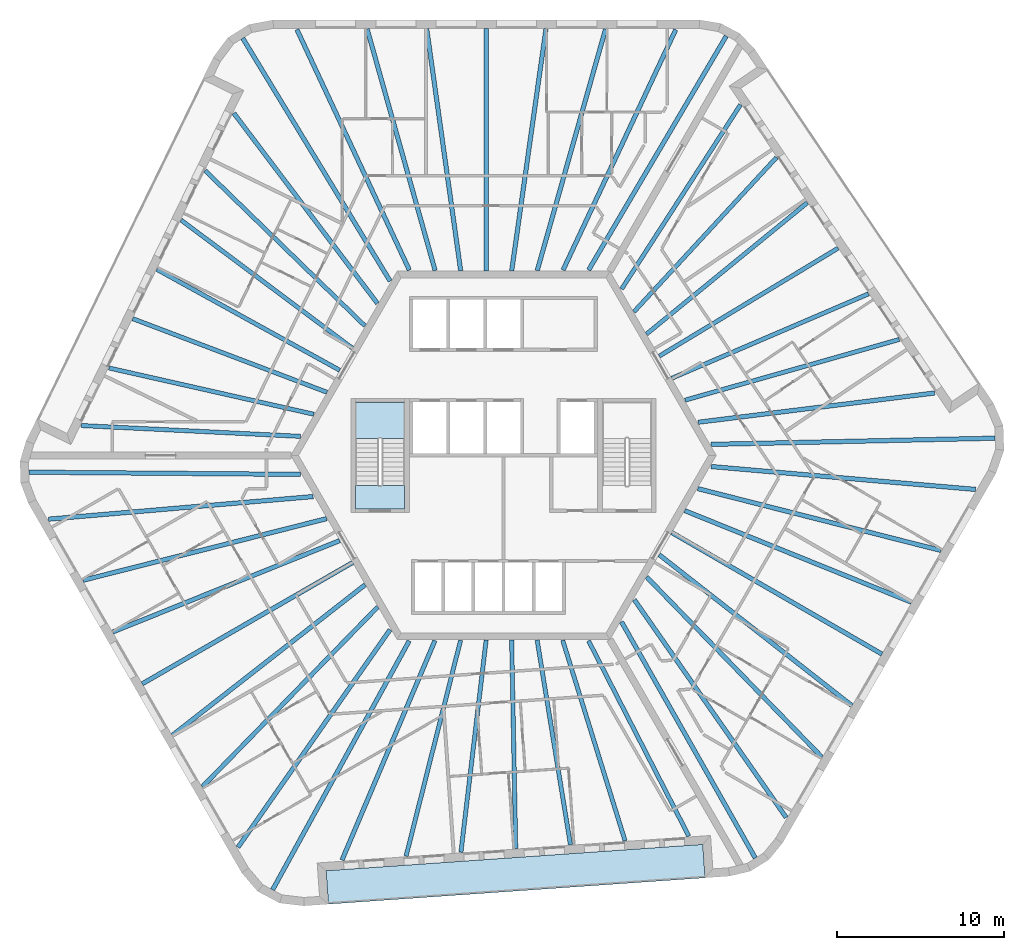
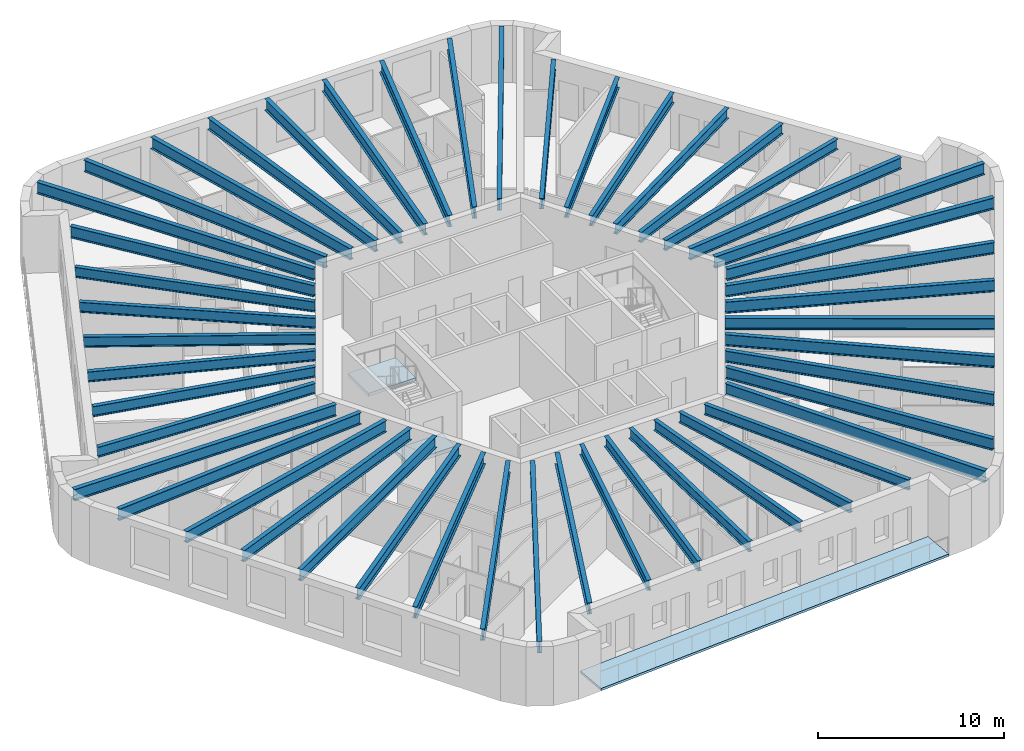
# One storey, part 1 of 12: 48 beams, 3 slabs, 1 element without a shape of its own.
"""IFC4 building model written with IfcOpenShell, lengths in metres."""

from ifc_helpers import new_model, si_unit, direction, frame, origin, origin_2d, place, context, subcontext, project, spatial, polyline, i_section, outline, extrude, material, layer, layer_set, material_profile, profile_set, type_object, element, aggregate, save


model = new_model("IFC4")

# Units and contexts
model_context = context("Model", 3, precision=1e-05, world=origin(), true_north=direction((0.0, 1.0)))
body_context = subcontext(model_context, "Body", "Model", "MODEL_VIEW")
ifc_project = project(units=[si_unit("LENGTHUNIT", "METRE"), si_unit("AREAUNIT", "SQUARE_METRE"), si_unit("VOLUMEUNIT", "CUBIC_METRE"), si_unit("PLANEANGLEUNIT", "RADIAN"), si_unit("MASSUNIT", "GRAM", prefix="KILO")], contexts=[model_context])

# Site, building, storey
site_placement = place(None, origin())
site = spatial("IfcSite", under=ifc_project, at=site_placement, CompositionType="ELEMENT")
building_placement = place(site_placement, origin())
building = spatial("IfcBuilding", under=site, at=building_placement, Name="Tarnside Tower", CompositionType="ELEMENT")
storey_placement = place(building_placement, frame((0.0, 0.0, 318.60009765625)))
storey = spatial("IfcBuildingStorey", under=building, at=storey_placement, Name="L77", CompositionType="ELEMENT", Elevation=318.60009765625)

# Beams
ifc_material_1 = material(Name="Steel S355", Category="steel")
ifc_material_profile_1 = material_profile(ifc_material_1, i_section(OverallWidth=0.2529296875, OverallDepth=0.677978515625, WebThickness=0.01171875, FlangeThickness=0.01611328125, FilletRadius=0.01513671875, at=origin_2d()), Name="UB 686x254x125")
ifc_profile_set_1 = profile_set([ifc_material_profile_1], Name="Steel S355")
beam_type_1 = type_object("IfcBeamType", Name="Floor beam UB 686x254x125", PredefinedType="BEAM", material=ifc_profile_set_1)
beam_1_placement = place(storey_placement, frame((-17.811279296875, 17.002197265625, 3.410888671875), z_axis=(0.717190986424, -0.696876666988, 0.0), x_axis=(0.696876666988, 0.717190986424, 0.0)))
element("IfcBeam", 1, at=beam_1_placement, inside=storey, type_object=beam_type_1, Name="Floor beam F2.02", PredefinedType="BEAM", context=body_context, shape_type="SweptSolid", body=[
    extrude(i_section(OverallWidth=0.2529296875, OverallDepth=0.677978515625, WebThickness=0.01171875, FlangeThickness=0.01611328125, FilletRadius=0.01513671875, at=origin_2d()), origin(), (0.0, 0.0, 1.0), 13.2919921875),
])
beam_2_placement = place(storey_placement, frame((-19.25, 14.0498046875, 3.410888671875), z_axis=(0.801006417676, -0.598655759883, 0.0), x_axis=(0.598655759883, 0.801006417676, 0.0)))
element("IfcBeam", 2, at=beam_2_placement, inside=storey, type_object=beam_type_1, Name="Floor beam F2.03", PredefinedType="BEAM", context=body_context, shape_type="SweptSolid", body=[
    extrude(i_section(OverallWidth=0.2529296875, OverallDepth=0.677978515625, WebThickness=0.01171875, FlangeThickness=0.01611328125, FilletRadius=0.01513671875, at=origin_2d()), origin(), (0.0, 0.0, 1.0), 12.764892578125),
])
beam_3_placement = place(storey_placement, frame((-20.70458984375, 11.111572265625, 3.410888671875), z_axis=(0.875666768762, -0.482915841619, 0.0), x_axis=(0.482915841619, 0.875666768762, 0.0)))
element("IfcBeam", 3, at=beam_3_placement, inside=storey, type_object=beam_type_1, Name="Floor beam F2.04", PredefinedType="BEAM", context=body_context, shape_type="SweptSolid", body=[
    extrude(i_section(OverallWidth=0.2529296875, OverallDepth=0.677978515625, WebThickness=0.01171875, FlangeThickness=0.01611328125, FilletRadius=0.01513671875, at=origin_2d()), origin(), (0.0, 0.0, 1.0), 12.468994140625),
])
beam_4_placement = place(storey_placement, frame((-22.141357421875, 8.165771484375, 3.410888671875), z_axis=(0.935116350489, -0.354340811998, 0.0), x_axis=(0.354340811998, 0.935116350489, 0.0)))
element("IfcBeam", 4, at=beam_4_placement, inside=storey, type_object=beam_type_1, Name="Floor beam F2.05", PredefinedType="BEAM", context=body_context, shape_type="SweptSolid", body=[
    extrude(i_section(OverallWidth=0.2529296875, OverallDepth=0.677978515625, WebThickness=0.01171875, FlangeThickness=0.01611328125, FilletRadius=0.01513671875, at=origin_2d()), origin(), (0.0, 0.0, 1.0), 12.399169921875),
])
beam_5_placement = place(storey_placement, frame((-23.556884765625, 5.2197265625, 3.410888671875), z_axis=(0.975445185376, -0.220242344534, 0.0), x_axis=(0.220242344534, 0.975445185376, 0.0)))
element("IfcBeam", 5, at=beam_5_placement, inside=storey, type_object=beam_type_1, Name="Floor beam F2.06", PredefinedType="BEAM", context=body_context, shape_type="SweptSolid", body=[
    extrude(i_section(OverallWidth=0.2529296875, OverallDepth=0.677978515625, WebThickness=0.01171875, FlangeThickness=0.01611328125, FilletRadius=0.01513671875, at=origin_2d()), origin(), (0.0, 0.0, 1.0), 12.538330078125),
])
beam_6_placement = place(storey_placement, frame((-25.214599609375, 1.7841796875, 3.410888671875), z_axis=(0.998783137237, -0.049317793651, 0.0), x_axis=(0.049317793651, 0.998783137237, 0.0)))
element("IfcBeam", 6, at=beam_6_placement, inside=storey, type_object=beam_type_1, Name="Floor beam F2.07", PredefinedType="BEAM", context=body_context, shape_type="SweptSolid", body=[
    extrude(i_section(OverallWidth=0.2529296875, OverallDepth=0.677978515625, WebThickness=0.01171875, FlangeThickness=0.01611328125, FilletRadius=0.01513671875, at=origin_2d()), origin(), (0.0, 0.0, 1.0), 13.103515625),
])
beam_7_placement = place(storey_placement, frame((-5.818603515625, -23.92626953125, 3.410888671875), z_axis=(0.244907502604, 0.969546448175, 0.0), x_axis=(-0.969546448175, 0.244907502604, 0.0)))
element("IfcBeam", 7, at=beam_7_placement, inside=storey, type_object=beam_type_1, Name="Floor beam F4.02", PredefinedType="BEAM", context=body_context, shape_type="SweptSolid", body=[
    extrude(i_section(OverallWidth=0.2529296875, OverallDepth=0.677978515625, WebThickness=0.01171875, FlangeThickness=0.01611328125, FilletRadius=0.01513671875, at=origin_2d()), origin(), (0.0, 0.0, 1.0), 13.292236328125),
])
beam_8_placement = place(storey_placement, frame((-2.54248046875, -23.69580078125, 3.410888671875), z_axis=(0.117949762105, 0.993019563563, 0.0), x_axis=(-0.993019563563, 0.117949762105, 0.0)))
element("IfcBeam", 8, at=beam_8_placement, inside=storey, type_object=beam_type_1, Name="Floor beam F4.03", PredefinedType="BEAM", context=body_context, shape_type="SweptSolid", body=[
    extrude(i_section(OverallWidth=0.2529296875, OverallDepth=0.677978515625, WebThickness=0.01171875, FlangeThickness=0.01611328125, FilletRadius=0.01513671875, at=origin_2d()), origin(), (0.0, 0.0, 1.0), 12.764892578125),
])
beam_9_placement = place(storey_placement, frame((0.7294921875, -23.486328125, 3.410888671875), z_axis=(-0.019619426101, 0.999807520536, 0.0), x_axis=(-0.999807520536, -0.019619426101, 0.0)))
element("IfcBeam", 9, at=beam_9_placement, inside=storey, type_object=beam_type_1, Name="Floor beam F4.04", PredefinedType="BEAM", context=body_context, shape_type="SweptSolid", body=[
    extrude(i_section(OverallWidth=0.2529296875, OverallDepth=0.677978515625, WebThickness=0.01171875, FlangeThickness=0.01611328125, FilletRadius=0.01513671875, at=origin_2d()), origin(), (0.0, 0.0, 1.0), 12.46875),
])
beam_10_placement = place(storey_placement, frame((3.9990234375, -23.2578125, 3.410888671875), z_axis=(-0.160690769029, 0.987004800773, 0.0), x_axis=(-0.987004800773, -0.160690769029, 0.0)))
element("IfcBeam", 10, at=beam_10_placement, inside=storey, type_object=beam_type_1, Name="Floor beam F4.05", PredefinedType="BEAM", context=body_context, shape_type="SweptSolid", body=[
    extrude(i_section(OverallWidth=0.2529296875, OverallDepth=0.677978515625, WebThickness=0.01171875, FlangeThickness=0.01611328125, FilletRadius=0.01513671875, at=origin_2d()), origin(), (0.0, 0.0, 1.0), 12.399169921875),
])
beam_11_placement = place(storey_placement, frame((7.258056640625, -23.0107421875, 3.410888671875), z_axis=(-0.296997512057, 0.954878252885, 0.0), x_axis=(-0.954878252885, -0.296997512057, 0.0)))
element("IfcBeam", 11, at=beam_11_placement, inside=storey, type_object=beam_type_1, Name="Floor beam F4.06", PredefinedType="BEAM", context=body_context, shape_type="SweptSolid", body=[
    extrude(i_section(OverallWidth=0.2529296875, OverallDepth=0.677978515625, WebThickness=0.01171875, FlangeThickness=0.01611328125, FilletRadius=0.01513671875, at=origin_2d()), origin(), (0.0, 0.0, 1.0), 12.538330078125),
])
beam_12_placement = place(storey_placement, frame((11.06201171875, -22.728515625, 3.410888671875), z_axis=(-0.456683143477, 0.889629420862, 0.0), x_axis=(-0.889629420862, -0.456683143477, 0.0)))
element("IfcBeam", 12, at=beam_12_placement, inside=storey, type_object=beam_type_1, Name="Floor beam F4.07", PredefinedType="BEAM", context=body_context, shape_type="SweptSolid", body=[
    extrude(i_section(OverallWidth=0.2529296875, OverallDepth=0.677978515625, WebThickness=0.01171875, FlangeThickness=0.01611328125, FilletRadius=0.01513671875, at=origin_2d()), origin(), (0.0, 0.0, 1.0), 13.103515625),
])
beam_13_placement = place(storey_placement, frame((23.6298828125, 6.924072265625, 3.410888671875), z_axis=(-0.962104001021, -0.272682766636, 0.0), x_axis=(0.272682766636, -0.962104001021, 0.0)))
element("IfcBeam", 13, at=beam_13_placement, inside=storey, type_object=beam_type_1, Name="Floor beam F6.02", PredefinedType="BEAM", context=body_context, shape_type="SweptSolid", body=[
    extrude(i_section(OverallWidth=0.2529296875, OverallDepth=0.677978515625, WebThickness=0.01171875, FlangeThickness=0.01611328125, FilletRadius=0.01513671875, at=origin_2d()), origin(), (0.0, 0.0, 1.0), 13.2919921875),
])
beam_14_placement = place(storey_placement, frame((21.792236328125, 9.64599609375, 3.410888671875), z_axis=(-0.918954980534, -0.394362452258, 0.0), x_axis=(0.394362452258, -0.918954980534, 0.0)))
element("IfcBeam", 14, at=beam_14_placement, inside=storey, type_object=beam_type_1, Name="Floor beam F6.03", PredefinedType="BEAM", context=body_context, shape_type="SweptSolid", body=[
    extrude(i_section(OverallWidth=0.2529296875, OverallDepth=0.677978515625, WebThickness=0.01171875, FlangeThickness=0.01611328125, FilletRadius=0.01513671875, at=origin_2d()), origin(), (0.0, 0.0, 1.0), 12.7646484375),
])
beam_15_placement = place(storey_placement, frame((19.97509765625, 12.375, 3.410888671875), z_axis=(-0.856046953876, -0.516898068055, 0.0), x_axis=(0.516898068055, -0.856046953876, 0.0)))
element("IfcBeam", 15, at=beam_15_placement, inside=storey, type_object=beam_type_1, Name="Floor beam F6.04", PredefinedType="BEAM", context=body_context, shape_type="SweptSolid", body=[
    extrude(i_section(OverallWidth=0.2529296875, OverallDepth=0.677978515625, WebThickness=0.01171875, FlangeThickness=0.01611328125, FilletRadius=0.01513671875, at=origin_2d()), origin(), (0.0, 0.0, 1.0), 12.46875),
])
beam_16_placement = place(storey_placement, frame((18.142333984375, 15.092041015625, 3.410888671875), z_axis=(-0.774438707576, -0.632648945473, 0.0), x_axis=(0.632648945473, -0.774438707576, 0.0)))
element("IfcBeam", 16, at=beam_16_placement, inside=storey, type_object=beam_type_1, Name="Floor beam F6.05", PredefinedType="BEAM", context=body_context, shape_type="SweptSolid", body=[
    extrude(i_section(OverallWidth=0.2529296875, OverallDepth=0.677978515625, WebThickness=0.01171875, FlangeThickness=0.01611328125, FilletRadius=0.01513671875, at=origin_2d()), origin(), (0.0, 0.0, 1.0), 12.39892578125),
])
beam_17_placement = place(storey_placement, frame((16.299072265625, 17.791015625, 3.410888671875), z_axis=(-0.67846123451, -0.734636204708, 0.0), x_axis=(0.734636204708, -0.67846123451, 0.0)))
element("IfcBeam", 17, at=beam_17_placement, inside=storey, type_object=beam_type_1, Name="Floor beam F6.06", PredefinedType="BEAM", context=body_context, shape_type="SweptSolid", body=[
    extrude(i_section(OverallWidth=0.2529296875, OverallDepth=0.677978515625, WebThickness=0.01171875, FlangeThickness=0.01611328125, FilletRadius=0.01513671875, at=origin_2d()), origin(), (0.0, 0.0, 1.0), 12.538330078125),
])
beam_18_placement = place(storey_placement, frame((14.152587890625, 20.9443359375, 3.410888671875), z_axis=(-0.54209970956, -0.840314170352, 0.0), x_axis=(0.840314170352, -0.54209970956, 0.0)))
element("IfcBeam", 18, at=beam_18_placement, inside=storey, type_object=beam_type_1, Name="Floor beam F6.07", PredefinedType="BEAM", context=body_context, shape_type="SweptSolid", body=[
    extrude(i_section(OverallWidth=0.2529296875, OverallDepth=0.677978515625, WebThickness=0.01171875, FlangeThickness=0.01611328125, FilletRadius=0.01513671875, at=origin_2d()), origin(), (0.0, 0.0, 1.0), 13.103759765625),
])
ifc_material_profile_2 = material_profile(ifc_material_1, i_section(OverallWidth=0.26513671875, OverallDepth=0.75390625, WebThickness=0.0126953125, FlangeThickness=0.017578125, FilletRadius=0.0166015625, at=origin_2d()), Name="UB 762x267x147")
ifc_profile_set_2 = profile_set([ifc_material_profile_2], Name="Steel S355")
beam_type_2 = type_object("IfcBeamType", Name="Floor beam UB 762x267x147", PredefinedType="BEAM", material=ifc_profile_set_2)
beam_19_placement = place(storey_placement, frame((6.093505859375, 25.46142578125, 3.372802734375), z_axis=(-0.272147186115, -0.962255636039, 0.0), x_axis=(0.962255636039, -0.272147186115, 0.0)))
element("IfcBeam", 19, at=beam_19_placement, inside=storey, type_object=beam_type_2, Name="Floor beam F1.02", PredefinedType="BEAM", context=body_context, shape_type="SweptSolid", body=[
    extrude(i_section(OverallWidth=0.26513671875, OverallDepth=0.75390625, WebThickness=0.0126953125, FlangeThickness=0.017578125, FilletRadius=0.0166015625, at=origin_2d()), origin(), (0.0, 0.0, 1.0), 14.988525390625),
])
beam_20_placement = place(storey_placement, frame((2.537109375, 25.480224609375, 3.372802734375), z_axis=(-0.140349428967, -0.990102034029, 0.0), x_axis=(0.990102034029, -0.140349428967, 0.0)))
element("IfcBeam", 20, at=beam_20_placement, inside=storey, type_object=beam_type_2, Name="Floor beam F1.03", PredefinedType="BEAM", context=body_context, shape_type="SweptSolid", body=[
    extrude(i_section(OverallWidth=0.26513671875, OverallDepth=0.75390625, WebThickness=0.0126953125, FlangeThickness=0.017578125, FilletRadius=0.0166015625, at=origin_2d()), origin(), (0.0, 0.0, 1.0), 14.60498046875),
])
beam_21_placement = place(storey_placement, frame((-1.02490234375, 25.5, 3.372802734375), z_axis=(-0.000656653953, -0.999999784403, 0.0), x_axis=(0.999999784403, -0.000656653953, 0.0)))
element("IfcBeam", 21, at=beam_21_placement, inside=storey, type_object=beam_type_2, Name="Floor beam F1.04", PredefinedType="BEAM", context=body_context, shape_type="SweptSolid", body=[
    extrude(i_section(OverallWidth=0.26513671875, OverallDepth=0.75390625, WebThickness=0.0126953125, FlangeThickness=0.017578125, FilletRadius=0.0166015625, at=origin_2d()), origin(), (0.0, 0.0, 1.0), 14.5),
])
beam_22_placement = place(storey_placement, frame((-4.5869140625, 25.480224609375, 3.372802734375), z_axis=(0.139070897001, -0.990282427193, 0.0), x_axis=(0.990282427193, 0.139070897001, 0.0)))
element("IfcBeam", 22, at=beam_22_placement, inside=storey, type_object=beam_type_2, Name="Floor beam F1.05", PredefinedType="BEAM", context=body_context, shape_type="SweptSolid", body=[
    extrude(i_section(OverallWidth=0.26513671875, OverallDepth=0.75390625, WebThickness=0.0126953125, FlangeThickness=0.017578125, FilletRadius=0.0166015625, at=origin_2d()), origin(), (0.0, 0.0, 1.0), 14.602294921875),
])
beam_23_placement = place(storey_placement, frame((-8.1435546875, 25.46142578125, 3.372802734375), z_axis=(0.270985274434, -0.962583493023, 0.0), x_axis=(0.962583493023, 0.270985274434, 0.0)))
element("IfcBeam", 23, at=beam_23_placement, inside=storey, type_object=beam_type_2, Name="Floor beam F1.06", PredefinedType="BEAM", context=body_context, shape_type="SweptSolid", body=[
    extrude(i_section(OverallWidth=0.26513671875, OverallDepth=0.75390625, WebThickness=0.0126953125, FlangeThickness=0.017578125, FilletRadius=0.0166015625, at=origin_2d()), origin(), (0.0, 0.0, 1.0), 14.9833984375),
])
beam_24_placement = place(storey_placement, frame((-16.101318359375, 20.43212890625, 3.372802734375), z_axis=(0.602566097863, -0.798068980543, 0.0), x_axis=(0.798068980543, 0.602566097863, 0.0)))
element("IfcBeam", 24, at=beam_24_placement, inside=storey, type_object=beam_type_2, Name="Floor beam F2.01", PredefinedType="BEAM", context=body_context, shape_type="SweptSolid", body=[
    extrude(i_section(OverallWidth=0.26513671875, OverallDepth=0.75390625, WebThickness=0.0126953125, FlangeThickness=0.017578125, FilletRadius=0.0166015625, at=origin_2d()), origin(), (0.0, 0.0, 1.0), 14.231201171875),
])
beam_25_placement = place(storey_placement, frame((-25.09716796875, -7.45361328125, 3.372802734375), z_axis=(0.969413823687, 0.245431942592, 0.0), x_axis=(-0.245431942592, 0.969413823687, 0.0)))
element("IfcBeam", 25, at=beam_25_placement, inside=storey, type_object=beam_type_2, Name="Floor beam F3.02", PredefinedType="BEAM", context=body_context, shape_type="SweptSolid", body=[
    extrude(i_section(OverallWidth=0.26513671875, OverallDepth=0.75390625, WebThickness=0.0126953125, FlangeThickness=0.017578125, FilletRadius=0.0166015625, at=origin_2d()), origin(), (0.0, 0.0, 1.0), 14.98876953125),
])
beam_26_placement = place(storey_placement, frame((-23.3349609375, -10.54296875, 3.372802734375), z_axis=(0.927625766949, 0.373510958998, 0.0), x_axis=(-0.373510958998, 0.927625766949, 0.0)))
element("IfcBeam", 26, at=beam_26_placement, inside=storey, type_object=beam_type_2, Name="Floor beam F3.03", PredefinedType="BEAM", context=body_context, shape_type="SweptSolid", body=[
    extrude(i_section(OverallWidth=0.26513671875, OverallDepth=0.75390625, WebThickness=0.0126953125, FlangeThickness=0.017578125, FilletRadius=0.0166015625, at=origin_2d()), origin(), (0.0, 0.0, 1.0), 14.60498046875),
])
beam_27_placement = place(storey_placement, frame((-21.5712890625, -13.6376953125, 3.372802734375), z_axis=(0.866357363831, 0.499424587036, 0.0), x_axis=(-0.499424587036, 0.866357363831, 0.0)))
element("IfcBeam", 27, at=beam_27_placement, inside=storey, type_object=beam_type_2, Name="Floor beam F3.04", PredefinedType="BEAM", context=body_context, shape_type="SweptSolid", body=[
    extrude(i_section(OverallWidth=0.26513671875, OverallDepth=0.75390625, WebThickness=0.0126953125, FlangeThickness=0.017578125, FilletRadius=0.0166015625, at=origin_2d()), origin(), (0.0, 0.0, 1.0), 14.5),
])
beam_28_placement = place(storey_placement, frame((-19.77294921875, -16.71240234375, 3.372802734375), z_axis=(0.788074813552, 0.615579473541, 0.0), x_axis=(-0.615579473541, 0.788074813552, 0.0)))
element("IfcBeam", 28, at=beam_28_placement, inside=storey, type_object=beam_type_2, Name="Floor beam F3.05", PredefinedType="BEAM", context=body_context, shape_type="SweptSolid", body=[
    extrude(i_section(OverallWidth=0.26513671875, OverallDepth=0.75390625, WebThickness=0.0126953125, FlangeThickness=0.017578125, FilletRadius=0.0166015625, at=origin_2d()), origin(), (0.0, 0.0, 1.0), 14.60205078125),
])
beam_29_placement = place(storey_placement, frame((-17.978515625, -19.783203125, 3.372802734375), z_axis=(0.698129580508, 0.71597143017, 0.0), x_axis=(-0.71597143017, 0.698129580508, 0.0)))
element("IfcBeam", 29, at=beam_29_placement, inside=storey, type_object=beam_type_2, Name="Floor beam F3.06", PredefinedType="BEAM", context=body_context, shape_type="SweptSolid", body=[
    extrude(i_section(OverallWidth=0.26513671875, OverallDepth=0.75390625, WebThickness=0.0126953125, FlangeThickness=0.017578125, FilletRadius=0.0166015625, at=origin_2d()), origin(), (0.0, 0.0, 1.0), 14.983642578125),
])
beam_30_placement = place(storey_placement, frame((-9.64404296875, -24.160400390625, 3.372802734375), z_axis=(0.389873911801, 0.920868249478, 0.0), x_axis=(-0.920868249478, 0.389873911801, 0.0)))
element("IfcBeam", 30, at=beam_30_placement, inside=storey, type_object=beam_type_2, Name="Floor beam F4.01", PredefinedType="BEAM", context=body_context, shape_type="SweptSolid", body=[
    extrude(i_section(OverallWidth=0.26513671875, OverallDepth=0.75390625, WebThickness=0.0126953125, FlangeThickness=0.017578125, FilletRadius=0.0166015625, at=origin_2d()), origin(), (0.0, 0.0, 1.0), 14.231201171875),
])
beam_31_placement = place(storey_placement, frame((19.00341796875, -18.008056640625, 3.372802734375), z_axis=(-0.697249797022, 0.716828236437, 0.0), x_axis=(-0.716828236437, -0.697249797022, 0.0)))
element("IfcBeam", 31, at=beam_31_placement, inside=storey, type_object=beam_type_2, Name="Floor beam F5.02", PredefinedType="BEAM", context=body_context, shape_type="SweptSolid", body=[
    extrude(i_section(OverallWidth=0.26513671875, OverallDepth=0.75390625, WebThickness=0.0126953125, FlangeThickness=0.017578125, FilletRadius=0.0166015625, at=origin_2d()), origin(), (0.0, 0.0, 1.0), 14.98876953125),
])
beam_32_placement = place(storey_placement, frame((20.798095703125, -14.937255859375, 3.372802734375), z_axis=(-0.787282014804, 0.616593082321, 0.0), x_axis=(-0.616593082321, -0.787282014804, 0.0)))
element("IfcBeam", 32, at=beam_32_placement, inside=storey, type_object=beam_type_2, Name="Floor beam F5.03", PredefinedType="BEAM", context=body_context, shape_type="SweptSolid", body=[
    extrude(i_section(OverallWidth=0.26513671875, OverallDepth=0.75390625, WebThickness=0.0126953125, FlangeThickness=0.017578125, FilletRadius=0.0166015625, at=origin_2d()), origin(), (0.0, 0.0, 1.0), 14.60498046875),
])
beam_33_placement = place(storey_placement, frame((22.59619140625, -11.8623046875, 3.372802734375), z_axis=(-0.865697438889, 0.500567622106, 0.0), x_axis=(-0.500567622106, -0.865697438889, 0.0)))
element("IfcBeam", 33, at=beam_33_placement, inside=storey, type_object=beam_type_2, Name="Floor beam F5.04", PredefinedType="BEAM", context=body_context, shape_type="SweptSolid", body=[
    extrude(i_section(OverallWidth=0.26513671875, OverallDepth=0.75390625, WebThickness=0.0126953125, FlangeThickness=0.017578125, FilletRadius=0.0166015625, at=origin_2d()), origin(), (0.0, 0.0, 1.0), 14.500244140625),
])
beam_34_placement = place(storey_placement, frame((24.35986328125, -8.767578125, 3.372802734375), z_axis=(-0.927145907531, 0.374700501933, 0.0), x_axis=(-0.374700501933, -0.927145907531, 0.0)))
element("IfcBeam", 34, at=beam_34_placement, inside=storey, type_object=beam_type_2, Name="Floor beam F5.05", PredefinedType="BEAM", context=body_context, shape_type="SweptSolid", body=[
    extrude(i_section(OverallWidth=0.26513671875, OverallDepth=0.75390625, WebThickness=0.0126953125, FlangeThickness=0.017578125, FilletRadius=0.0166015625, at=origin_2d()), origin(), (0.0, 0.0, 1.0), 14.60205078125),
])
beam_35_placement = place(storey_placement, frame((26.1220703125, -5.67822265625, 3.372802734375), z_axis=(-0.969115089144, 0.246608888716, 0.0), x_axis=(-0.246608888716, -0.969115089144, 0.0)))
element("IfcBeam", 35, at=beam_35_placement, inside=storey, type_object=beam_type_2, Name="Floor beam F5.06", PredefinedType="BEAM", context=body_context, shape_type="SweptSolid", body=[
    extrude(i_section(OverallWidth=0.26513671875, OverallDepth=0.75390625, WebThickness=0.0126953125, FlangeThickness=0.017578125, FilletRadius=0.0166015625, at=origin_2d()), origin(), (0.0, 0.0, 1.0), 14.9833984375),
])
beam_36_placement = place(storey_placement, frame((25.745361328125, 3.72802734375, 3.372802734375), z_axis=(-0.992433598491, -0.122782541866, 0.0), x_axis=(0.122782541866, -0.992433598491, 0.0)))
element("IfcBeam", 36, at=beam_36_placement, inside=storey, type_object=beam_type_2, Name="Floor beam F6.01", PredefinedType="BEAM", context=body_context, shape_type="SweptSolid", body=[
    extrude(i_section(OverallWidth=0.26513671875, OverallDepth=0.75390625, WebThickness=0.0126953125, FlangeThickness=0.017578125, FilletRadius=0.0166015625, at=origin_2d()), origin(), (0.0, 0.0, 1.0), 14.23095703125),
])
ifc_material_profile_3 = material_profile(ifc_material_1, i_section(OverallWidth=0.2666015625, OverallDepth=0.76220703125, WebThickness=0.014404296875, FlangeThickness=0.021484375, FilletRadius=0.0166015625, at=origin_2d()), Name="UB 762x267x173")
ifc_profile_set_3 = profile_set([ifc_material_profile_3], Name="Steel S355")
beam_type_3 = type_object("IfcBeamType", Name="Floor beam UB 762x267x173", PredefinedType="BEAM", material=ifc_profile_set_3)
beam_37_placement = place(storey_placement, frame((10.285400390625, 25.427490234375, 3.368896484375), z_axis=(-0.424439399801, -0.905456346765, 0.0), x_axis=(0.905456346765, -0.424439399801, 0.0)))
element("IfcBeam", 37, at=beam_37_placement, inside=storey, type_object=beam_type_3, Name="Floor beam F1.01", PredefinedType="BEAM", context=body_context, shape_type="SweptSolid", body=[
    extrude(i_section(OverallWidth=0.2666015625, OverallDepth=0.76220703125, WebThickness=0.014404296875, FlangeThickness=0.021484375, FilletRadius=0.0166015625, at=origin_2d()), origin(), (0.0, 0.0, 1.0), 15.853759765625),
])
beam_38_placement = place(storey_placement, frame((-12.335205078125, 25.427490234375, 3.368896484375), z_axis=(0.423453877267, -0.905917663934, 0.0), x_axis=(0.905917663934, 0.423453877267, 0.0)))
element("IfcBeam", 38, at=beam_38_placement, inside=storey, type_object=beam_type_3, Name="Floor beam F1.07", PredefinedType="BEAM", context=body_context, shape_type="SweptSolid", body=[
    extrude(i_section(OverallWidth=0.2666015625, OverallDepth=0.76220703125, WebThickness=0.014404296875, FlangeThickness=0.021484375, FilletRadius=0.0166015625, at=origin_2d()), origin(), (0.0, 0.0, 1.0), 15.845703125),
])
beam_39_placement = place(storey_placement, frame((-15.5703125, 24.91162109375, 3.368896484375), z_axis=(0.518716683755, -0.854946198304, 0.0), x_axis=(0.854946198304, 0.518716683755, 0.0)))
element("IfcBeam", 39, at=beam_39_placement, inside=storey, type_object=beam_type_3, Name="Floor beam C1", PredefinedType="BEAM", context=body_context, shape_type="SweptSolid", body=[
    extrude(i_section(OverallWidth=0.2666015625, OverallDepth=0.76220703125, WebThickness=0.014404296875, FlangeThickness=0.021484375, FilletRadius=0.0166015625, at=origin_2d()), origin(), (0.0, 0.0, 1.0), 16.961181640625),
])
beam_40_placement = place(storey_placement, frame((-28.3291015625, -1.0009765625, 3.368896484375), z_axis=(0.999966651082, -0.008166806173, 0.0), x_axis=(0.008166806173, 0.999966651082, 0.0)))
element("IfcBeam", 40, at=beam_40_placement, inside=storey, type_object=beam_type_3, Name="Floor beam C2", PredefinedType="BEAM", context=body_context, shape_type="SweptSolid", body=[
    extrude(i_section(OverallWidth=0.2666015625, OverallDepth=0.76220703125, WebThickness=0.014404296875, FlangeThickness=0.021484375, FilletRadius=0.0166015625, at=origin_2d()), origin(), (0.0, 0.0, 1.0), 16.20263671875),
])
beam_41_placement = place(storey_placement, frame((-27.16357421875, -3.806396484375, 3.368896484375), z_axis=(0.996367434748, 0.085158293626, 0.0), x_axis=(-0.085158293626, 0.996367434748, 0.0)))
element("IfcBeam", 41, at=beam_41_placement, inside=storey, type_object=beam_type_3, Name="Floor beam F3.01", PredefinedType="BEAM", context=body_context, shape_type="SweptSolid", body=[
    extrude(i_section(OverallWidth=0.2666015625, OverallDepth=0.76220703125, WebThickness=0.014404296875, FlangeThickness=0.021484375, FilletRadius=0.0166015625, at=origin_2d()), origin(), (0.0, 0.0, 1.0), 15.85400390625),
])
beam_42_placement = place(storey_placement, frame((-15.853271484375, -23.396484375, 3.368896484375), z_axis=(0.572816933654, 0.819683329414, 0.0), x_axis=(-0.819683329414, 0.572816933654, 0.0)))
element("IfcBeam", 42, at=beam_42_placement, inside=storey, type_object=beam_type_3, Name="Floor beam F3.07", PredefinedType="BEAM", context=body_context, shape_type="SweptSolid", body=[
    extrude(i_section(OverallWidth=0.2666015625, OverallDepth=0.76220703125, WebThickness=0.014404296875, FlangeThickness=0.021484375, FilletRadius=0.0166015625, at=origin_2d()), origin(), (0.0, 0.0, 1.0), 15.84619140625),
])
beam_43_placement = place(storey_placement, frame((-13.788818359375, -25.93994140625, 3.368896484375), z_axis=(0.481036073107, 0.876700802081, 0.0), x_axis=(-0.876700802081, 0.481036073107, 0.0)))
element("IfcBeam", 43, at=beam_43_placement, inside=storey, type_object=beam_type_3, Name="Floor beam C3", PredefinedType="BEAM", context=body_context, shape_type="SweptSolid", body=[
    extrude(i_section(OverallWidth=0.2666015625, OverallDepth=0.76220703125, WebThickness=0.014404296875, FlangeThickness=0.021484375, FilletRadius=0.0166015625, at=origin_2d()), origin(), (0.0, 0.0, 1.0), 16.961181640625),
])
beam_44_placement = place(storey_placement, frame((15.031494140625, -24.033447265625, 3.368896484375), z_axis=(-0.49290801997, 0.870081423689, 0.0), x_axis=(-0.870081423689, -0.49290801997, 0.0)))
element("IfcBeam", 44, at=beam_44_placement, inside=storey, type_object=beam_type_3, Name="Floor beam C4", PredefinedType="BEAM", context=body_context, shape_type="SweptSolid", body=[
    extrude(i_section(OverallWidth=0.2666015625, OverallDepth=0.76220703125, WebThickness=0.014404296875, FlangeThickness=0.021484375, FilletRadius=0.0166015625, at=origin_2d()), origin(), (0.0, 0.0, 1.0), 16.202880859375),
])
beam_45_placement = place(storey_placement, frame((16.87841796875, -21.62109375, 3.368896484375), z_axis=(-0.571946235641, 0.82029110902, 0.0), x_axis=(-0.82029110902, -0.571946235641, 0.0)))
element("IfcBeam", 45, at=beam_45_placement, inside=storey, type_object=beam_type_3, Name="Floor beam F5.01", PredefinedType="BEAM", context=body_context, shape_type="SweptSolid", body=[
    extrude(i_section(OverallWidth=0.2666015625, OverallDepth=0.76220703125, WebThickness=0.014404296875, FlangeThickness=0.021484375, FilletRadius=0.0166015625, at=origin_2d()), origin(), (0.0, 0.0, 1.0), 15.85400390625),
])
beam_46_placement = place(storey_placement, frame((28.1884765625, -2.03125, 3.368896484375), z_axis=(-0.996273584651, 0.086249316098, 0.0), x_axis=(-0.086249316098, -0.996273584651, 0.0)))
element("IfcBeam", 46, at=beam_46_placement, inside=storey, type_object=beam_type_3, Name="Floor beam F5.07", PredefinedType="BEAM", context=body_context, shape_type="SweptSolid", body=[
    extrude(i_section(OverallWidth=0.2666015625, OverallDepth=0.76220703125, WebThickness=0.014404296875, FlangeThickness=0.021484375, FilletRadius=0.0166015625, at=origin_2d()), origin(), (0.0, 0.0, 1.0), 15.845947265625),
])
beam_47_placement = place(storey_placement, frame((29.359130859375, 1.028564453125, 3.368896484375), z_axis=(-0.999763142455, -0.02176370807, 0.0), x_axis=(0.02176370807, -0.999763142455, 0.0)))
element("IfcBeam", 47, at=beam_47_placement, inside=storey, type_object=beam_type_3, Name="Floor beam C5", PredefinedType="BEAM", context=body_context, shape_type="SweptSolid", body=[
    extrude(i_section(OverallWidth=0.2666015625, OverallDepth=0.76220703125, WebThickness=0.014404296875, FlangeThickness=0.021484375, FilletRadius=0.0166015625, at=origin_2d()), origin(), (0.0, 0.0, 1.0), 16.961181640625),
])
beam_48_placement = place(storey_placement, frame((13.2978515625, 25.0341796875, 3.368896484375), z_axis=(-0.507080048325, -0.861898964259, 0.0), x_axis=(0.861898964259, -0.507080048325, 0.0)))
element("IfcBeam", 48, at=beam_48_placement, inside=storey, type_object=beam_type_3, Name="Floor beam C6", PredefinedType="BEAM", context=body_context, shape_type="SweptSolid", body=[
    extrude(i_section(OverallWidth=0.2666015625, OverallDepth=0.76220703125, WebThickness=0.014404296875, FlangeThickness=0.021484375, FilletRadius=0.0166015625, at=origin_2d()), origin(), (0.0, 0.0, 1.0), 16.20263671875),
])

# Slabs
ifc_material_2 = material(Name="Concrete C40/50", Category="concrete")
ifc_layer_1 = layer(ifc_material_2, 0.25)
ifc_layer_set_1 = layer_set([ifc_layer_1], Name="Core slab C40/50")
slab_type_1 = type_object("IfcSlabType", Name="Core slab C40/50", PredefinedType="FLOOR", material=ifc_layer_set_1)
slab_1_placement = place(storey_placement, frame((0.0, 0.0, -0.25)))
element("IfcSlab", 49, at=slab_1_placement, inside=storey, type_object=slab_type_1, Name="L77 core floor slab 2", PredefinedType="FLOOR", context=body_context, shape_type="SweptSolid", body=[
    extrude(outline(polyline([(-8.85009765625, -3.199951171875), (-8.85009765625, -1.800048828125), (-5.89990234375, -1.800048828125), (-5.89990234375, -3.199951171875), (-8.85009765625, -3.199951171875)])), origin(), (0.0, 0.0, 1.0), 0.25),
])
ifc_material_3 = material(Name="Timber decking", Category="wood")
ifc_layer_2 = layer(ifc_material_3, 0.0400390625)
ifc_material_4 = material(Name="Concrete C60/75 precast", Category="concrete")
ifc_layer_3 = layer(ifc_material_4, 0.110107421875)
ifc_layer_set_2 = layer_set([ifc_layer_2, ifc_layer_3], Name="Loggia deck 150")
slab_type_2 = type_object("IfcSlabType", Name="Loggia deck 150", PredefinedType="FLOOR", material=ifc_layer_set_2)
slab_2_placement = place(storey_placement, frame((0.0, 0.0, -0.150146484375)))
element("IfcSlab", 50, at=slab_2_placement, inside=storey, type_object=slab_type_2, Name="Loggia deck L77 F4", PredefinedType="FLOOR", context=body_context, shape_type="SweptSolid", body=[
    extrude(outline(polyline([(-10.593017578125, -24.79931640625), (11.896728515625, -23.226806640625), (12.036376953125, -25.221923828125), (-10.45361328125, -26.79443359375), (-10.593017578125, -24.79931640625)])), origin(), (0.0, 0.0, 1.0), 0.150146484375),
])

# Stair, slab
stair_type = type_object("IfcStairType", Name="Exit stair 1400 clear", PredefinedType="HALF_TURN_STAIR", material=ifc_material_2)
stair_placement = place(storey_placement, origin())
stair = element("IfcStair", 51, at=stair_placement, inside=storey, type_object=stair_type, Name="L77 Exit stair 2", PredefinedType="HALF_TURN_STAIR")
ifc_layer_4 = layer(ifc_material_2, 0.199951171875)
ifc_layer_set_3 = layer_set([ifc_layer_4], Name="Stair landing 200 C40/50")
slab_type_3 = type_object("IfcSlabType", Name="Stair landing 200 C40/50", PredefinedType="LANDING", material=ifc_layer_set_3)
slab_3_placement = place(storey_placement, frame((0.0, 0.0, 1.75)))
slab_3 = element("IfcSlab", 52, at=slab_3_placement, type_object=slab_type_3, Name="ST2 landing 1", PredefinedType="LANDING", context=body_context, shape_type="SweptSolid", body=[
    extrude(outline(polyline([(-5.89990234375, 1.0), (-5.89990234375, 3.199951171875), (-8.85009765625, 3.199951171875), (-8.85009765625, 1.0), (-5.89990234375, 1.0)])), origin(), (0.0, 0.0, 1.0), 0.199951171875),
])
aggregate(stair, [slab_3])

save(model, "model.ifc")
